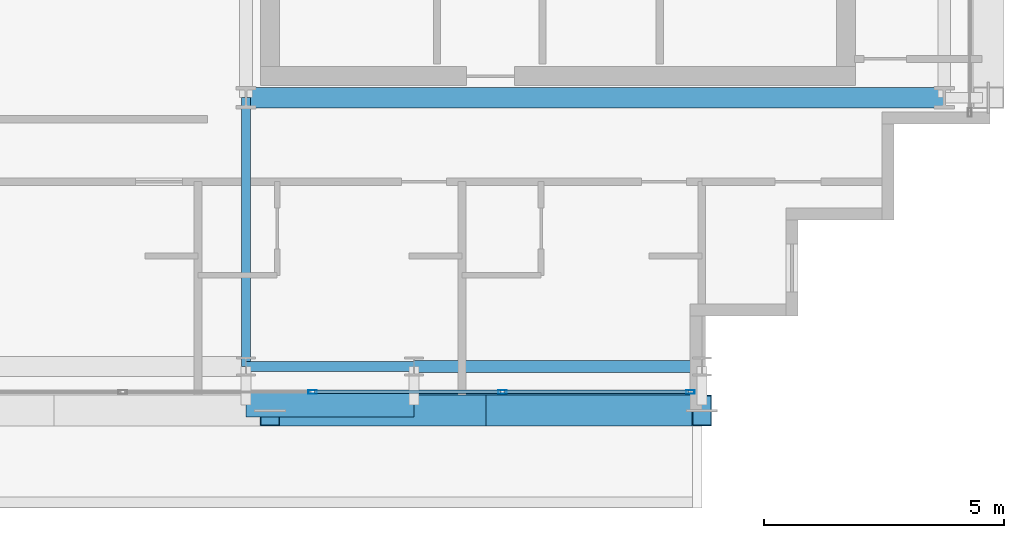
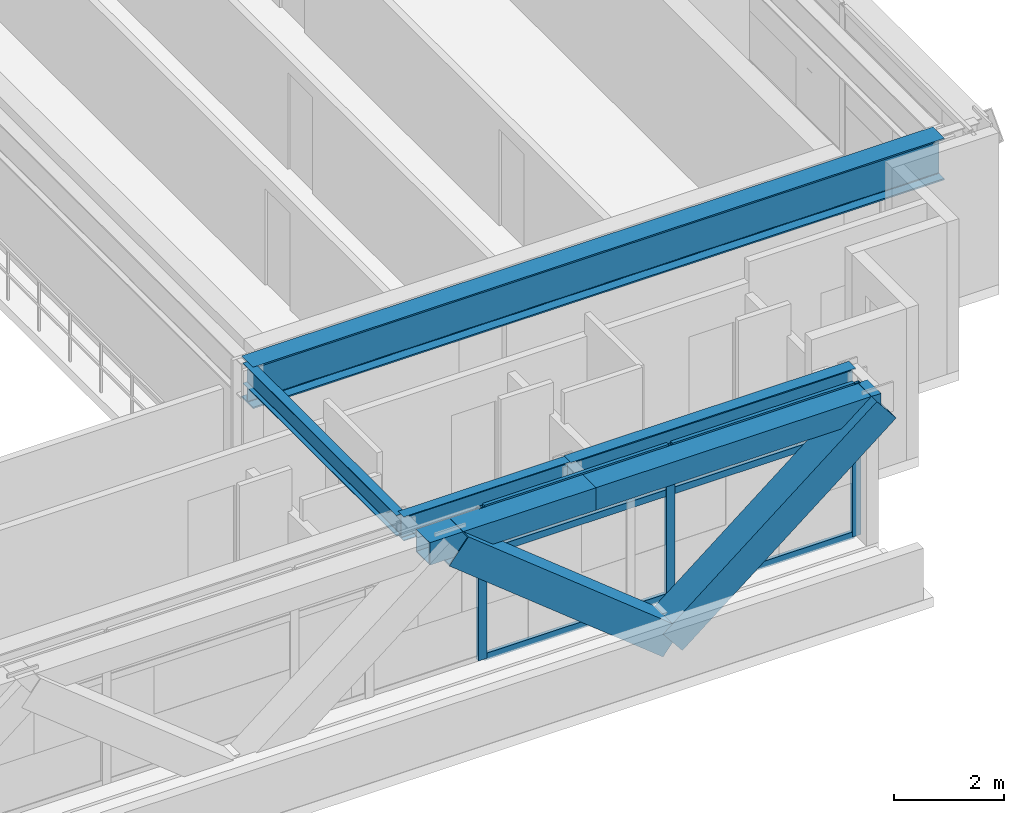
# One storey, part 8 of 27: 11 members, 6 beams, 1 element without a shape of its own.
"""IFC4 building model written with IfcOpenShell, lengths in metres."""

from ifc_helpers import new_model, si_unit, direction, frame, origin, origin_2d, place, context, subcontext, project, spatial, hollow_rectangle, i_section, extrude, source, transform, mapped, material, layer, layer_set, material_profile, profile_set, type_object, element, aggregate, save


model = new_model("IFC4")

# Units and contexts
model_context = context("Model", 3, precision=1e-05, world=origin(), true_north=direction((0.0, 1.0)))
body_context = subcontext(model_context, "Body", "Model", "MODEL_VIEW")
ifc_project = project(units=[si_unit("LENGTHUNIT", "METRE"), si_unit("AREAUNIT", "SQUARE_METRE"), si_unit("VOLUMEUNIT", "CUBIC_METRE"), si_unit("PLANEANGLEUNIT", "RADIAN"), si_unit("MASSUNIT", "GRAM", prefix="KILO")], contexts=[model_context])

# Site, building, storey
site_placement = place(None, origin())
site = spatial("IfcSite", under=ifc_project, at=site_placement, CompositionType="ELEMENT")
building_placement = place(site_placement, origin())
building = spatial("IfcBuilding", under=site, at=building_placement, Name="Ocotamira Hotel", CompositionType="ELEMENT")
storey_placement = place(building_placement, frame((0.0, 0.0, 232.800048828125)))
storey = spatial("IfcBuildingStorey", under=building, at=storey_placement, Name="L58", CompositionType="ELEMENT", Elevation=232.800048828125)

# Beams
ifc_material_1 = material(Name="Steel ASTM A992 Grade 50", Category="steel")
ifc_material_profile_1 = material_profile(ifc_material_1, i_section(OverallWidth=0.41796875, OverallDepth=0.927001953125, WebThickness=0.019287109375, FlangeThickness=0.031982421875, FilletRadius=0.02392578125, at=origin_2d()), Name="W36X231")
ifc_profile_set_1 = profile_set([ifc_material_profile_1], Name="Steel ASTM A992 Grade 50")
beam_type_1 = type_object("IfcBeamType", Name="BM-GIRD-W36X231", PredefinedType="BEAM", material=ifc_profile_set_1)
shared_shape_1 = source(origin(), body_context, "Body", "SweptSolid", [
    extrude(i_section(OverallWidth=0.41796875, OverallDepth=0.927001953125, WebThickness=0.019287109375, FlangeThickness=0.031982421875, FilletRadius=0.02392578125, at=origin_2d()), origin(), (0.0, 0.0, 1.0), 14.550048828125),
])
beam_1_placement = place(storey_placement, frame((40.5, 14.550048828125, 2.91650390625), z_axis=(1.0, 0.0, 0.0), x_axis=(0.0, 1.0, 0.0)))
element("IfcBeam", 1, at=beam_1_placement, inside=storey, type_object=beam_type_1, Name="L58 Girder Y14.55 X40.5-55.05", PredefinedType="BEAM", context=body_context, shape_type="MappedRepresentation", body=[
    mapped(shared_shape_1, transform((0.0, 0.0, 0.0), scale=1.0)),
])
ifc_material_profile_2 = material_profile(ifc_material_1, i_section(OverallWidth=0.256103515625, OverallDepth=0.693115234375, WebThickness=0.014404296875, FlangeThickness=0.023681640625, FilletRadius=0.01611328125, at=origin_2d()), Name="W27X114")
ifc_profile_set_2 = profile_set([ifc_material_profile_2], Name="Steel ASTM A992 Grade 50")
beam_type_2 = type_object("IfcBeamType", Name="BM-PRIM-W27X114", PredefinedType="BEAM", material=ifc_profile_set_2)
shared_shape_2 = source(origin(), body_context, "Body", "SweptSolid", [
    extrude(i_section(OverallWidth=0.256103515625, OverallDepth=0.693115234375, WebThickness=0.014404296875, FlangeThickness=0.023681640625, FilletRadius=0.01611328125, at=origin_2d()), origin(), (0.0, 0.0, 1.0), 6.0),
])
beam_2_placement = place(storey_placement, frame((44.0, 8.949951171875, 3.033447265625), z_axis=(1.0, 0.0, 0.0), x_axis=(0.0, 1.0, 0.0)))
element("IfcBeam", 2, at=beam_2_placement, inside=storey, type_object=beam_type_2, Name="L58 Girder Y8.95 X44-50", PredefinedType="BEAM", context=body_context, shape_type="MappedRepresentation", body=[
    mapped(shared_shape_2, transform((0.0, 0.0, 0.0), scale=1.0)),
])
ifc_material_profile_3 = material_profile(ifc_material_1, i_section(OverallWidth=0.2099609375, OverallDepth=0.537109375, WebThickness=0.010986328125, FlangeThickness=0.017333984375, FilletRadius=0.012939453125, at=origin_2d()), Name="W21X68")
ifc_profile_set_3 = profile_set([ifc_material_profile_3], Name="Steel ASTM A992 Grade 50")
beam_type_3 = type_object("IfcBeamType", Name="BM-SEC-W21X68", PredefinedType="JOIST", material=ifc_profile_set_3)
shared_shape_3 = source(origin(), body_context, "Body", "SweptSolid", [
    extrude(i_section(OverallWidth=0.2099609375, OverallDepth=0.537109375, WebThickness=0.010986328125, FlangeThickness=0.017333984375, FilletRadius=0.012939453125, at=origin_2d()), origin(), (0.0, 0.0, 1.0), 3.5),
])
beam_3_placement = place(storey_placement, frame((40.5, 8.949951171875, 3.111572265625), z_axis=(1.0, 0.0, 0.0), x_axis=(0.0, 1.0, 0.0)))
element("IfcBeam", 3, at=beam_3_placement, inside=storey, type_object=beam_type_3, Name="L58 Girder Y8.95 X40.5-44", PredefinedType="JOIST", context=body_context, shape_type="MappedRepresentation", body=[
    mapped(shared_shape_3, transform((0.0, 0.0, 0.0), scale=1.0)),
])
ifc_material_2 = material(Name="Steel ASTM A500 Grade C", Category="steel")
ifc_material_profile_4 = material_profile(ifc_material_2, hollow_rectangle(XDim=0.5, YDim=0.5, WallThickness=0.02001953125, at=origin_2d()), Name="HSS500X500X20")
ifc_profile_set_4 = profile_set([ifc_material_profile_4], Name="Steel ASTM A500 Grade C")
beam_type_4 = type_object("IfcBeamType", Name="BM-SPAN-HSS500", PredefinedType="USERDEFINED", material=ifc_profile_set_4)
shared_shape_4 = source(origin(), body_context, "Body", "SweptSolid", [
    extrude(hollow_rectangle(XDim=0.5, YDim=0.5, WallThickness=0.02001953125, at=origin_2d()), origin(), (0.0, 0.0, 1.0), 6.0),
])
beam_4_placement = place(storey_placement, frame((44.0, 8.14990234375, 3.1298828125), z_axis=(1.0, 0.0, 0.0), x_axis=(0.0, 1.0, 0.0)))
element("IfcBeam", 4, at=beam_4_placement, inside=storey, type_object=beam_type_4, Name="L58 Edge Spandrel S X44-50", ObjectType="SPANDREL", PredefinedType="USERDEFINED", context=body_context, shape_type="MappedRepresentation", body=[
    mapped(shared_shape_4, transform((0.0, 0.0, 0.0), scale=1.0)),
])
shared_shape_5 = source(origin(), body_context, "Body", "SweptSolid", [
    extrude(hollow_rectangle(XDim=0.5, YDim=0.5, WallThickness=0.02001953125, at=origin_2d()), origin(), (0.0, 0.0, 1.0), 3.5),
])
beam_5_placement = place(storey_placement, frame((40.5, 8.14990234375, 3.1298828125), z_axis=(1.0, 0.0, 0.0), x_axis=(0.0, 1.0, 0.0)))
element("IfcBeam", 5, at=beam_5_placement, inside=storey, type_object=beam_type_4, Name="L58 Edge Spandrel S X40.5-44", ObjectType="SPANDREL", PredefinedType="USERDEFINED", context=body_context, shape_type="MappedRepresentation", body=[
    mapped(shared_shape_5, transform((0.0, 0.0, 0.0), scale=1.0)),
])
ifc_material_profile_5 = material_profile(ifc_material_1, i_section(OverallWidth=0.18994140625, OverallDepth=0.45703125, WebThickness=0.009033203125, FlangeThickness=0.014404296875, FilletRadius=0.010009765625, at=origin_2d()), Name="W18X50")
ifc_profile_set_5 = profile_set([ifc_material_profile_5], Name="Steel ASTM A992 Grade 50")
beam_type_5 = type_object("IfcBeamType", Name="BM-SEC-W18X50", PredefinedType="JOIST", material=ifc_profile_set_5)
shared_shape_6 = source(origin(), body_context, "Body", "SweptSolid", [
    extrude(i_section(OverallWidth=0.18994140625, OverallDepth=0.45703125, WebThickness=0.009033203125, FlangeThickness=0.014404296875, FilletRadius=0.010009765625, at=origin_2d()), origin(), (0.0, 0.0, 1.0), 5.60009765625),
])
beam_6_placement = place(storey_placement, frame((40.5, 8.949951171875, 3.1513671875), z_axis=(0.0, 1.0, 0.0), x_axis=(-1.0, 0.0, 0.0)))
element("IfcBeam", 6, at=beam_6_placement, inside=storey, type_object=beam_type_5, Name="L58 Beam X40.5 Y8.95-14.55", PredefinedType="JOIST", context=body_context, shape_type="MappedRepresentation", body=[
    mapped(shared_shape_6, transform((0.0, 0.0, 0.0), scale=1.0)),
])

# Members
ifc_material_3 = material(Name="Pale-metal coated steel ASTM A913 Grade 65", Category="steel")
ifc_material_profile_6 = material_profile(ifc_material_3, hollow_rectangle(XDim=0.64990234375, YDim=0.64990234375, WallThickness=0.02197265625, at=origin_2d()), Name="BOX650X650X22")
ifc_profile_set_6 = profile_set([ifc_material_profile_6], Name="Pale-metal coated steel ASTM A913 Grade 65")
member_type_1 = type_object("IfcMemberType", Name="MEM-EXO-BOX650", PredefinedType="BRACE", material=ifc_profile_set_6)
shared_shape_7 = source(origin(), body_context, "Body", "SweptSolid", [
    extrude(hollow_rectangle(XDim=0.64990234375, YDim=0.64990234375, WallThickness=0.02197265625, at=origin_2d()), origin(), (0.0, 0.0, 1.0), 5.7626953125),
])
for number, where, z_axis, x_axis, name in (
    (7, (45.5, 8.030029296875, -0.469970703125), (-0.780881208953, 0.0, 0.624679547852), (0.0, -1.0, 0.0), "L58 Exoskeleton Diagrid S3.1"),
    (8, (45.5, 8.030029296875, -0.469970703125), (0.780881208953, 0.0, 0.624679547852), (0.0, 1.0, 0.0), "L58 Exoskeleton Diagrid S3.2"),
):
    element("IfcMember", number, at=place(storey_placement, frame(where, z_axis=z_axis, x_axis=x_axis)), inside=storey, type_object=member_type_1, Name=name, PredefinedType="BRACE", context=body_context, shape_type="MappedRepresentation", body=[
        mapped(shared_shape_7, transform((0.0, 0.0, 0.0), scale=1.0)),
    ])

# Curtain wall, members
ifc_material_4 = material(Name="Anodised pale-metal aluminium and solar glass", Category="aluminium")
ifc_layer = layer(ifc_material_4, 0.239990234375)
ifc_layer_set = layer_set([ifc_layer], Name="Anodised pale-metal aluminium and solar glass")
curtain_wall_type = type_object("IfcCurtainWallType", Name="CW-SYS5-SKY", PredefinedType="NOTDEFINED", material=ifc_layer_set)
curtain_wall_placement = place(storey_placement, origin())
curtain_wall = element("IfcCurtainWall", 9, at=curtain_wall_placement, inside=storey, type_object=curtain_wall_type, Name="L58 Curtain Wall CW-5 CW-L58-S1", PredefinedType="NOTDEFINED")
ifc_material_5 = material(Name="Anodised pale-metal aluminium 6063-T6", Category="aluminium")
ifc_material_profile_7 = material_profile(ifc_material_5, hollow_rectangle(XDim=0.074951171875, YDim=0.14990234375, WallThickness=0.006103515625, at=origin_2d()), Name="HSS150X75X6")
ifc_profile_set_7 = profile_set([ifc_material_profile_7], Name="Anodised pale-metal aluminium 6063-T6")
member_type_2 = type_object("IfcMemberType", Name="CWT-150X75", PredefinedType="USERDEFINED", material=ifc_profile_set_7)
shared_shape_8 = source(origin(), body_context, "Body", "SweptSolid", [
    extrude(hollow_rectangle(XDim=0.074951171875, YDim=0.14990234375, WallThickness=0.006103515625, at=origin_2d()), origin(), (0.0, 0.0, 1.0), 3.83544921875),
])
member_1_placement = place(storey_placement, frame((45.884521484375, 8.419921875, 0.037353515625), z_axis=(1.0, 0.0, 0.0), x_axis=(0.0, 1.0, 0.0)))
member_1 = element("IfcMember", 10, at=member_1_placement, type_object=member_type_2, Name="CW-5 transom 9.1", ObjectType="TRANSOM", PredefinedType="USERDEFINED", context=body_context, shape_type="MappedRepresentation", body=[
    mapped(shared_shape_8, transform((0.0, 0.0, 0.0), scale=1.0)),
])
member_2_placement = place(storey_placement, frame((45.884521484375, 8.419921875, 2.349853515625), z_axis=(1.0, 0.0, 0.0), x_axis=(0.0, 1.0, 0.0)))
member_2 = element("IfcMember", 11, at=member_2_placement, type_object=member_type_2, Name="CW-5 transom 9.2", ObjectType="TRANSOM", PredefinedType="USERDEFINED", context=body_context, shape_type="MappedRepresentation", body=[
    mapped(shared_shape_8, transform((0.0, 0.0, 0.0), scale=1.0)),
])
member_3_placement = place(storey_placement, frame((45.884521484375, 8.419921875, 3.342529296875), z_axis=(1.0, 0.0, 0.0), x_axis=(0.0, 1.0, 0.0)))
member_3 = element("IfcMember", 12, at=member_3_placement, type_object=member_type_2, Name="CW-5 transom 9.3", ObjectType="TRANSOM", PredefinedType="USERDEFINED", context=body_context, shape_type="MappedRepresentation", body=[
    mapped(shared_shape_8, transform((0.0, 0.0, 0.0), scale=1.0)),
])
shared_shape_9 = source(origin(), body_context, "Body", "SweptSolid", [
    extrude(hollow_rectangle(XDim=0.074951171875, YDim=0.14990234375, WallThickness=0.006103515625, at=origin_2d()), origin(), (0.0, 0.0, 1.0), 3.87548828125),
])
member_4_placement = place(storey_placement, frame((41.928955078125, 8.419921875, 0.037353515625), z_axis=(1.0, 0.0, 0.0), x_axis=(0.0, 1.0, 0.0)))
member_4 = element("IfcMember", 13, at=member_4_placement, type_object=member_type_2, Name="CW-5 transom 8.1", ObjectType="TRANSOM", PredefinedType="USERDEFINED", context=body_context, shape_type="MappedRepresentation", body=[
    mapped(shared_shape_9, transform((0.0, 0.0, 0.0), scale=1.0)),
])
member_5_placement = place(storey_placement, frame((41.928955078125, 8.419921875, 2.349853515625), z_axis=(1.0, 0.0, 0.0), x_axis=(0.0, 1.0, 0.0)))
member_5 = element("IfcMember", 14, at=member_5_placement, type_object=member_type_2, Name="CW-5 transom 8.2", ObjectType="TRANSOM", PredefinedType="USERDEFINED", context=body_context, shape_type="MappedRepresentation", body=[
    mapped(shared_shape_9, transform((0.0, 0.0, 0.0), scale=1.0)),
])
member_6_placement = place(storey_placement, frame((41.928955078125, 8.419921875, 3.342529296875), z_axis=(1.0, 0.0, 0.0), x_axis=(0.0, 1.0, 0.0)))
member_6 = element("IfcMember", 15, at=member_6_placement, type_object=member_type_2, Name="CW-5 transom 8.3", ObjectType="TRANSOM", PredefinedType="USERDEFINED", context=body_context, shape_type="MappedRepresentation", body=[
    mapped(shared_shape_9, transform((0.0, 0.0, 0.0), scale=1.0)),
])
ifc_material_profile_8 = material_profile(ifc_material_5, hollow_rectangle(XDim=0.080078125, YDim=0.179931640625, WallThickness=0.006103515625, at=origin_2d()), Name="HSS180X80X6")
ifc_profile_set_8 = profile_set([ifc_material_profile_8], Name="Anodised pale-metal aluminium 6063-T6")
member_type_3 = type_object("IfcMemberType", Name="CWM-180X75", PredefinedType="MULLION", material=ifc_profile_set_8)
shared_shape_10 = source(origin(), body_context, "Body", "SweptSolid", [
    extrude(hollow_rectangle(XDim=0.080078125, YDim=0.179931640625, WallThickness=0.006103515625, at=origin_2d()), origin(), (0.0, 0.0, 1.0), 3.3798828125),
])
member_7_placement = place(storey_placement, frame((41.888916015625, 8.419921875, 0.0), z_axis=(0.0, 0.0, 1.0), x_axis=(0.0, 1.0, 0.0)))
member_7 = element("IfcMember", 16, at=member_7_placement, type_object=member_type_3, Name="CW-5 mullion 8", PredefinedType="MULLION", context=body_context, shape_type="MappedRepresentation", body=[
    mapped(shared_shape_10, transform((0.0, 0.0, 0.0), scale=1.0)),
])
member_8_placement = place(storey_placement, frame((45.844482421875, 8.419921875, 0.0), z_axis=(0.0, 0.0, 1.0), x_axis=(0.0, 1.0, 0.0)))
member_8 = element("IfcMember", 17, at=member_8_placement, type_object=member_type_3, Name="CW-5 mullion 9", PredefinedType="MULLION", context=body_context, shape_type="MappedRepresentation", body=[
    mapped(shared_shape_10, transform((0.0, 0.0, 0.0), scale=1.0)),
])
member_9_placement = place(storey_placement, frame((49.760009765625, 8.419921875, 0.0), z_axis=(0.0, 0.0, 1.0), x_axis=(0.0, 1.0, 0.0)))
member_9 = element("IfcMember", 18, at=member_9_placement, type_object=member_type_3, Name="CW-5 mullion 10", PredefinedType="MULLION", context=body_context, shape_type="MappedRepresentation", body=[
    mapped(shared_shape_10, transform((0.0, 0.0, 0.0), scale=1.0)),
])
aggregate(curtain_wall, [member_7, member_8, member_9, member_4, member_5, member_6, member_1, member_2, member_3])

save(model, "model.ifc")
